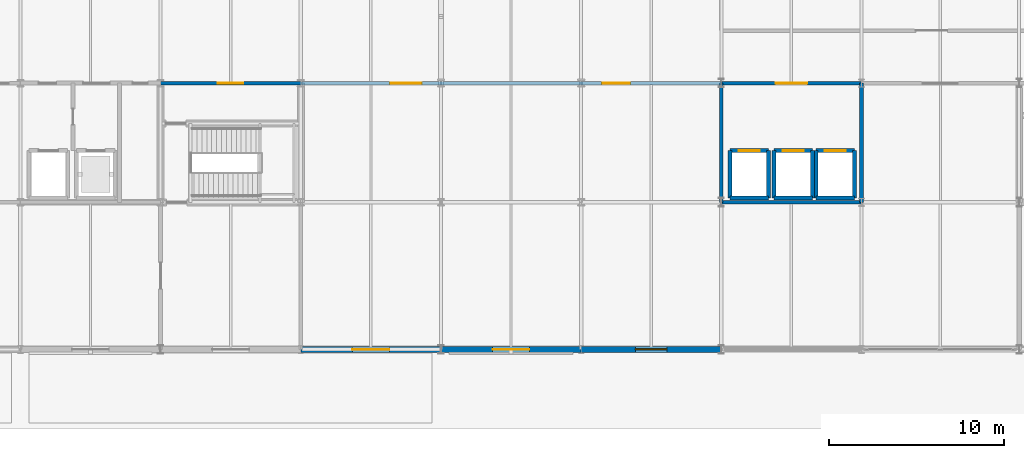
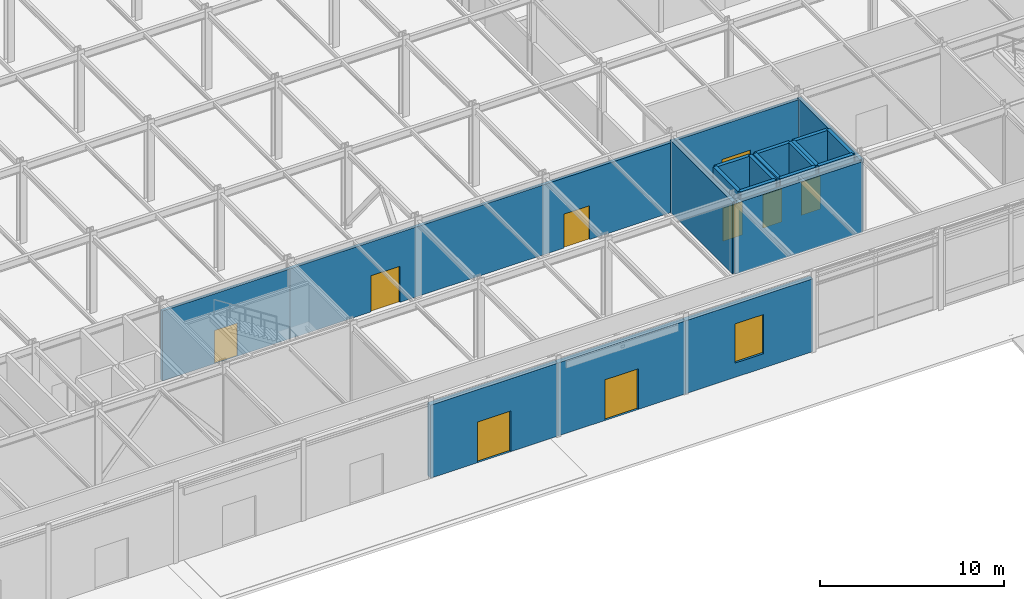
# One storey, part 65 of 89: 21 walls, 9 doors, 1 window, 10 openings.
"""IFC4 building model written with IfcOpenShell, lengths in metres."""

from ifc_helpers import new_model, si_unit, direction, frame, frame_2d, origin, place, context, subcontext, project, spatial, rectangle, extrude, material, layer, layer_set, type_object, element, fill, save


model = new_model("IFC4")

# Units and contexts
model_context = context("Model", 3, precision=1e-05, world=origin(), true_north=direction((0.0, 1.0)))
body_context = subcontext(model_context, "Body", "Model", "MODEL_VIEW")
ifc_project = project(units=[si_unit("LENGTHUNIT", "METRE"), si_unit("AREAUNIT", "SQUARE_METRE"), si_unit("VOLUMEUNIT", "CUBIC_METRE"), si_unit("PLANEANGLEUNIT", "RADIAN"), si_unit("MASSUNIT", "GRAM", prefix="KILO")], contexts=[model_context])

# Site, building, storey
site_placement = place(None, origin())
site = spatial("IfcSite", under=ifc_project, at=site_placement, CompositionType="ELEMENT")
building_placement = place(site_placement, origin())
building = spatial("IfcBuilding", under=site, at=building_placement, Name="Shalkamar Park Central Library", CompositionType="ELEMENT")
storey_placement = place(building_placement, origin())
storey = spatial("IfcBuildingStorey", under=building, at=storey_placement, Name="L01", CompositionType="ELEMENT", Elevation=0.0)

# Wall, opening, door
ifc_material_1 = material(Name="Fire-rated corridor partition wall", Category="masonry")
ifc_layer_1 = layer(ifc_material_1, 0.199951171875)
ifc_layer_set_1 = layer_set([ifc_layer_1], Name="CorridorFireWall_200")
wall_type_1 = type_object("IfcWallType", Name="Corridor Fire Wall 200", PredefinedType="PARTITIONING", material=ifc_layer_set_1)
wall_1_placement = place(storey_placement, frame((197.0, 255.199951171875, 0.0), z_axis=(0.0, 0.0, 1.0), x_axis=(1.0, 0.0, 0.0)))
wall_1 = element("IfcWall", 1, at=wall_1_placement, inside=storey, type_object=wall_type_1, Name="CORE-T2 Vestibule North Wall (L01)", PredefinedType="PARTITIONING", context=body_context, shape_type="SweptSolid", body=[
    extrude(rectangle(XDim=8.0, YDim=0.199951171875, at=frame_2d((4.0, 0.0))), origin(), (0.0, 0.0, 1.0), 4.637939453125),
])
opening_1_placement = place(wall_1_placement, frame((3.27490234375, 0.0, 0.0)))
opening_1 = element("IfcOpeningElement", 2, at=opening_1_placement, cuts=wall_1, Name="Opening DR-ST-T2-L01-VEST", PredefinedType="OPENING", context=body_context, shape_type="SweptSolid", body=[
    extrude(rectangle(XDim=1.449951171875, YDim=2.199951171875, at=frame_2d((0.72509765625, 1.10009765625))), frame((0.0, 0.11474609375, 0.0), z_axis=(0.0, -1.0, 0.0), x_axis=(1.0, 0.0, 0.0)), (0.0, 0.0, 1.0), 0.229736328125),
])
ifc_material_2 = material(Name="Steel S355", Category="steel")
door_type_1 = type_object("IfcDoorType", Name="Stair Vestibule Door 1450x2200", OperationType="DOUBLE_DOOR_SINGLE_SWING", PredefinedType="DOOR", material=ifc_material_2)
door_1_placement = place(opening_1_placement, origin())
door_1 = element("IfcDoor", 3, at=door_1_placement, inside=storey, type_object=door_type_1, Name="Protected Stair ST-T2 Vestibule Door (L01)", OperationType="DOUBLE_DOOR_SINGLE_SWING", OverallHeight=2.199951171875, OverallWidth=1.449951171875, PredefinedType="DOOR", context=body_context, shape_type="SweptSolid", body=[
    extrude(rectangle(XDim=1.449951171875, YDim=2.199951171875, at=frame_2d((0.72509765625, 1.10009765625))), frame((0.0, 0.02490234375, 0.0), z_axis=(0.0, -1.0, 0.0), x_axis=(1.0, 0.0, 0.0)), (0.0, 0.0, 1.0), 0.050048828125),
])
fill(opening_1, door_1)

wall_2_placement = place(storey_placement, frame((229.0, 255.199951171875, 0.0), z_axis=(0.0, 0.0, 1.0), x_axis=(1.0, 0.0, 0.0)))
wall_2 = element("IfcWall", 4, at=wall_2_placement, inside=storey, type_object=wall_type_1, Name="Interior Partition WL-INT-L01-014", PredefinedType="PARTITIONING", context=body_context, shape_type="SweptSolid", body=[
    extrude(rectangle(XDim=8.0, YDim=0.199951171875, at=frame_2d((4.0, 0.0))), origin(), (0.0, 0.0, 1.0), 4.68798828125),
])
opening_2_placement = place(wall_2_placement, frame((3.10009765625, 0.0, 0.0)))
opening_2 = element("IfcOpeningElement", 5, at=opening_2_placement, cuts=wall_2, Name="Opening DR-L01-012", PredefinedType="OPENING", context=body_context, shape_type="SweptSolid", body=[
    extrude(rectangle(XDim=1.800048828125, YDim=2.39990234375, at=frame_2d((0.89990234375, 1.199951171875))), frame((0.0, 0.11474609375, 0.0), z_axis=(0.0, -1.0, 0.0), x_axis=(1.0, 0.0, 0.0)), (0.0, 0.0, 1.0), 0.229736328125),
])
door_type_2 = type_object("IfcDoorType", Name="Interior Door Double 1800x2400", OperationType="DOUBLE_DOOR_SINGLE_SWING", PredefinedType="DOOR", material=ifc_material_2)
door_2_placement = place(opening_2_placement, origin())
door_2 = element("IfcDoor", 6, at=door_2_placement, inside=storey, type_object=door_type_2, Name="Podium Lift Lobby Entrance", OperationType="DOUBLE_DOOR_SINGLE_SWING", OverallHeight=2.39990234375, OverallWidth=1.800048828125, PredefinedType="DOOR", context=body_context, shape_type="SweptSolid", body=[
    extrude(rectangle(XDim=1.800048828125, YDim=2.39990234375, at=frame_2d((0.89990234375, 1.199951171875))), frame((0.0, 0.02490234375, 0.0), z_axis=(0.0, -1.0, 0.0), x_axis=(1.0, 0.0, 0.0)), (0.0, 0.0, 1.0), 0.050048828125),
])
fill(opening_2, door_2)

# Wall, openings, doors
wall_3_placement = place(storey_placement, frame((205.0, 255.199951171875, 0.0), z_axis=(0.0, 0.0, 1.0), x_axis=(1.0, 0.0, 0.0)))
wall_3 = element("IfcWall", 7, at=wall_3_placement, inside=storey, type_object=wall_type_1, Name="Interior Partition WL-INT-L01-029", PredefinedType="PARTITIONING", context=body_context, shape_type="SweptSolid", body=[
    extrude(rectangle(XDim=24.0, YDim=0.199951171875, at=frame_2d((12.0, 0.0))), origin(), (0.0, 0.0, 1.0), 4.637939453125),
])
opening_3_placement = place(wall_3_placement, frame((5.10009765625, 0.0, 0.0)))
opening_3 = element("IfcOpeningElement", 8, at=opening_3_placement, cuts=wall_3, Name="Opening DR-L01-019", PredefinedType="OPENING", context=body_context, shape_type="SweptSolid", body=[
    extrude(rectangle(XDim=1.800048828125, YDim=2.39990234375, at=frame_2d((0.89990234375, 1.199951171875))), frame((0.0, 0.11474609375, 0.0), z_axis=(0.0, -1.0, 0.0), x_axis=(1.0, 0.0, 0.0)), (0.0, 0.0, 1.0), 0.229736328125),
])
opening_4_placement = place(wall_3_placement, frame((17.199951171875, 0.0, 0.0)))
opening_4 = element("IfcOpeningElement", 9, at=opening_4_placement, cuts=wall_3, Name="Opening DR-L01-020", PredefinedType="OPENING", context=body_context, shape_type="SweptSolid", body=[
    extrude(rectangle(XDim=1.60009765625, YDim=2.25, at=frame_2d((0.800048828125, 1.125))), frame((0.0, 0.11474609375, 0.0), z_axis=(0.0, -1.0, 0.0), x_axis=(1.0, 0.0, 0.0)), (0.0, 0.0, 1.0), 0.229736328125),
])
door_type_3 = type_object("IfcDoorType", Name="Interior Door Double 1600x2250", OperationType="DOUBLE_DOOR_SINGLE_SWING", PredefinedType="DOOR", material=ifc_material_2)
door_3_placement = place(opening_4_placement, frame((1.60009765625, 0.0, 0.0), z_axis=(0.0, 0.0, 1.0), x_axis=(-1.0, 0.0, 0.0)))
door_3 = element("IfcDoor", 10, at=door_3_placement, inside=storey, type_object=door_type_3, Name="Cloakroom and Registration Hall Door", OperationType="DOUBLE_DOOR_SINGLE_SWING", OverallHeight=2.25, OverallWidth=1.60009765625, PredefinedType="DOOR", context=body_context, shape_type="SweptSolid", body=[
    extrude(rectangle(XDim=1.60009765625, YDim=2.25, at=frame_2d((0.800048828125, 1.125))), frame((0.0, 0.02490234375, 0.0), z_axis=(0.0, -1.0, 0.0), x_axis=(1.0, 0.0, 0.0)), (0.0, 0.0, 1.0), 0.050048828125),
])
fill(opening_4, door_3)
door_4_placement = place(opening_3_placement, frame((1.800048828125, 0.0, 0.0), z_axis=(0.0, 0.0, 1.0), x_axis=(-1.0, 0.0, 0.0)))
door_4 = element("IfcDoor", 11, at=door_4_placement, inside=storey, type_object=door_type_2, Name="South Boulevard Entrance Lobby Door", OperationType="DOUBLE_DOOR_SINGLE_SWING", OverallHeight=2.39990234375, OverallWidth=1.800048828125, PredefinedType="DOOR", context=body_context, shape_type="SweptSolid", body=[
    extrude(rectangle(XDim=1.800048828125, YDim=2.39990234375, at=frame_2d((0.89990234375, 1.199951171875))), frame((0.0, 0.02490234375, 0.0), z_axis=(0.0, -1.0, 0.0), x_axis=(1.0, 0.0, 0.0)), (0.0, 0.0, 1.0), 0.050048828125),
])
fill(opening_3, door_4)

# Wall, opening, door
ifc_material_3 = material(Name="Concrete C35/45 precast", Category="concrete")
ifc_layer_2 = layer(ifc_material_3, 0.320068359375)
ifc_layer_set_2 = layer_set([ifc_layer_2], Name="Concrete C35/45 precast")
wall_type_2 = type_object("IfcWallType", Name="Granite Plinth External Wall 320", PredefinedType="SOLIDWALL", material=ifc_layer_set_2)
wall_4_placement = place(storey_placement, frame((205.006103515625, 240.0, 0.0), z_axis=(0.0, 0.0, 1.0), x_axis=(1.0, 0.0, 0.0)))
wall_4 = element("IfcWall", 12, at=wall_4_placement, inside=storey, type_object=wall_type_2, Name="Exterior Facade Wall WL-EXT-L01-012", PredefinedType="SOLIDWALL", context=body_context, shape_type="SweptSolid", body=[
    extrude(rectangle(XDim=7.98779296875, YDim=0.320068359375, at=frame_2d((3.993896484375, 0.0))), origin(), (0.0, 0.0, 1.0), 4.837890625),
])
opening_5_placement = place(wall_4_placement, frame((2.944091796875, 0.0, 0.0)))
opening_5 = element("IfcOpeningElement", 13, at=opening_5_placement, cuts=wall_4, Name="Opening ED-L01-009", PredefinedType="OPENING", context=body_context, shape_type="SweptSolid", body=[
    extrude(rectangle(XDim=2.10009765625, YDim=2.699951171875, at=frame_2d((1.050048828125, 1.35009765625))), frame((0.0, 0.1748046875, 0.0), z_axis=(0.0, -1.0, 0.0), x_axis=(1.0, 0.0, 0.0)), (0.0, 0.0, 1.0), 0.349853515625),
])
ifc_material_4 = material(Name="Thermally broken insulated aluminium and glazed door", Category="aluminium")
door_type_4 = type_object("IfcDoorType", Name="Boulevard Entrance Door 2100x2700", OperationType="DOUBLE_DOOR_SINGLE_SWING", PredefinedType="DOOR", material=ifc_material_4)
door_5_placement = place(opening_5_placement, frame((2.10009765625, 0.0, 0.0), z_axis=(0.0, 0.0, 1.0), x_axis=(-1.0, 0.0, 0.0)))
door_5 = element("IfcDoor", 14, at=door_5_placement, inside=storey, type_object=door_type_4, Name="South Boulevard Entrance Portal 12", OperationType="DOUBLE_DOOR_SINGLE_SWING", OverallHeight=2.699951171875, OverallWidth=2.10009765625, PredefinedType="DOOR", context=body_context, shape_type="SweptSolid", body=[
    extrude(rectangle(XDim=2.10009765625, YDim=2.699951171875, at=frame_2d((1.050048828125, 1.35009765625))), frame((0.0, 0.02490234375, 0.0), z_axis=(0.0, -1.0, 0.0), x_axis=(1.0, 0.0, 0.0)), (0.0, 0.0, 1.0), 0.050048828125),
])
fill(opening_5, door_5)

wall_5_placement = place(storey_placement, frame((213.006103515625, 240.0, 0.0), z_axis=(0.0, 0.0, 1.0), x_axis=(1.0, 0.0, 0.0)))
wall_5 = element("IfcWall", 15, at=wall_5_placement, inside=storey, type_object=wall_type_2, Name="Exterior Facade Wall WL-EXT-L01-013", PredefinedType="SOLIDWALL", context=body_context, shape_type="SweptSolid", body=[
    extrude(rectangle(XDim=7.98779296875, YDim=0.320068359375, at=frame_2d((3.993896484375, 0.0))), origin(), (0.0, 0.0, 1.0), 4.837890625),
])
opening_6_placement = place(wall_5_placement, frame((2.944091796875, 0.0, 0.0)))
opening_6 = element("IfcOpeningElement", 16, at=opening_6_placement, cuts=wall_5, Name="Opening ED-L01-010", PredefinedType="OPENING", context=body_context, shape_type="SweptSolid", body=[
    extrude(rectangle(XDim=2.10009765625, YDim=2.699951171875, at=frame_2d((1.050048828125, 1.35009765625))), frame((0.0, 0.1748046875, 0.0), z_axis=(0.0, -1.0, 0.0), x_axis=(1.0, 0.0, 0.0)), (0.0, 0.0, 1.0), 0.349853515625),
])
door_6_placement = place(opening_6_placement, frame((2.10009765625, 0.0, 0.0), z_axis=(0.0, 0.0, 1.0), x_axis=(-1.0, 0.0, 0.0)))
door_6 = element("IfcDoor", 17, at=door_6_placement, inside=storey, type_object=door_type_4, Name="South Boulevard Entrance Portal 13", OperationType="DOUBLE_DOOR_SINGLE_SWING", OverallHeight=2.699951171875, OverallWidth=2.10009765625, PredefinedType="DOOR", context=body_context, shape_type="SweptSolid", body=[
    extrude(rectangle(XDim=2.10009765625, YDim=2.699951171875, at=frame_2d((1.050048828125, 1.35009765625))), frame((0.0, 0.02490234375, 0.0), z_axis=(0.0, -1.0, 0.0), x_axis=(1.0, 0.0, 0.0)), (0.0, 0.0, 1.0), 0.050048828125),
])
fill(opening_6, door_6)

# Wall, opening, window
wall_6_placement = place(storey_placement, frame((221.006103515625, 240.0, 0.0), z_axis=(0.0, 0.0, 1.0), x_axis=(1.0, 0.0, 0.0)))
wall_6 = element("IfcWall", 18, at=wall_6_placement, inside=storey, type_object=wall_type_2, Name="Exterior Facade Wall WL-EXT-L01-014", PredefinedType="SOLIDWALL", context=body_context, shape_type="SweptSolid", body=[
    extrude(rectangle(XDim=7.98779296875, YDim=0.320068359375, at=frame_2d((3.993896484375, 0.0))), origin(), (0.0, 0.0, 1.0), 4.837890625),
])
opening_7_placement = place(wall_6_placement, frame((3.093994140625, 0.0, 0.949951171875)))
opening_7 = element("IfcOpeningElement", 19, at=opening_7_placement, cuts=wall_6, Name="Opening WN-06", PredefinedType="OPENING", context=body_context, shape_type="SweptSolid", body=[
    extrude(rectangle(XDim=1.800048828125, YDim=2.60009765625, at=frame_2d((0.89990234375, 1.300048828125))), frame((0.0, 0.1748046875, 0.0), z_axis=(0.0, -1.0, 0.0), x_axis=(1.0, 0.0, 0.0)), (0.0, 0.0, 1.0), 0.349853515625),
])
ifc_material_5 = material(Name="Thermally broken aluminium and triple low-e glass", Category="glass")
window_type = type_object("IfcWindowType", Name="Podium Window 1800x2600", PartitioningType="DOUBLE_PANEL_VERTICAL", PredefinedType="WINDOW", material=ifc_material_5)
window_placement = place(opening_7_placement, origin())
window = element("IfcWindow", 20, at=window_placement, inside=storey, type_object=window_type, Name="Facade Window WN-L01-004", OverallHeight=2.60009765625, OverallWidth=1.800048828125, PartitioningType="DOUBLE_PANEL_VERTICAL", PredefinedType="WINDOW", context=body_context, shape_type="SweptSolid", body=[
    extrude(rectangle(XDim=1.800048828125, YDim=2.60009765625, at=frame_2d((0.89990234375, 1.300048828125))), frame((0.0, 0.030029296875, 0.0), z_axis=(0.0, -1.0, 0.0), x_axis=(1.0, 0.0, 0.0)), (0.0, 0.0, 1.0), 0.06005859375),
])
fill(opening_7, window)

# Walls
ifc_material_6 = material(Name="Concrete C40/50", Category="concrete")
ifc_layer_3 = layer(ifc_material_6, 0.219970703125)
ifc_layer_set_3 = layer_set([ifc_layer_3], Name="Concrete C40/50")
wall_type_3 = type_object("IfcWallType", Name="Lift Hoistway Shear Wall 220", PredefinedType="SHEAR", material=ifc_layer_set_3)
wall_7_placement = place(storey_placement, frame((229.5, 248.64990234375, 0.0), z_axis=(0.0, 0.0, 1.0), x_axis=(1.0, 0.0, 0.0)))
element("IfcWall", 21, at=wall_7_placement, inside=storey, type_object=wall_type_3, Name="Lift LP-01 Hoistway South Wall (L01)", PredefinedType="SHEAR", context=body_context, shape_type="SweptSolid", body=[
    extrude(rectangle(XDim=2.199951171875, YDim=0.219970703125, at=frame_2d((1.10009765625, 0.0))), origin(), (0.0, 0.0, 1.0), 5.139892578125),
])
for number, where, z_axis, x_axis, name in (
    (22, (229.5, 248.64990234375, 0.0), (0.0, 0.0, 1.0), (0.0, 1.0, 0.0), "Lift LP-01 Hoistway West Wall (L01)"),
    (23, (231.699951171875, 248.64990234375, 0.0), (0.0, 0.0, 1.0), (0.0, 1.0, 0.0), "Lift LP-01 Hoistway East Wall (L01)"),
):
    element("IfcWall", number, at=place(storey_placement, frame(where, z_axis=z_axis, x_axis=x_axis)), inside=storey, type_object=wall_type_3, Name=name, PredefinedType="SHEAR", context=body_context, shape_type="SweptSolid", body=[
        extrude(rectangle(XDim=2.7001953125, YDim=0.219970703125, at=frame_2d((1.35009765625, 0.0))), origin(), (0.0, 0.0, 1.0), 5.139892578125),
    ])

# Wall, opening, door
wall_8_placement = place(storey_placement, frame((229.5, 251.35009765625, 0.0), z_axis=(0.0, 0.0, 1.0), x_axis=(1.0, 0.0, 0.0)))
wall_8 = element("IfcWall", 24, at=wall_8_placement, inside=storey, type_object=wall_type_3, Name="Lift LP-01 Hoistway Front Wall (L01)", PredefinedType="SHEAR", context=body_context, shape_type="SweptSolid", body=[
    extrude(rectangle(XDim=2.199951171875, YDim=0.219970703125, at=frame_2d((1.10009765625, 0.0))), origin(), (0.0, 0.0, 1.0), 5.139892578125),
])
opening_8_placement = place(wall_8_placement, frame((0.5, 0.0, 0.0)))
opening_8 = element("IfcOpeningElement", 25, at=opening_8_placement, cuts=wall_8, Name="Opening LD-LP-01-L01", PredefinedType="OPENING", context=body_context, shape_type="SweptSolid", body=[
    extrude(rectangle(XDim=1.199951171875, YDim=2.199951171875, at=frame_2d((0.60009765625, 1.10009765625))), frame((0.0, 0.125, 0.0), z_axis=(0.0, -1.0, 0.0), x_axis=(1.0, 0.0, 0.0)), (0.0, 0.0, 1.0), 0.249755859375),
])
door_type_5 = type_object("IfcDoorType", Name="Podium Lift Landing Door 1200x2200", OperationType="DOUBLE_DOOR_SLIDING", PredefinedType="USERDEFINED", material=ifc_material_2)
door_7_placement = place(opening_8_placement, origin())
door_7 = element("IfcDoor", 26, at=door_7_placement, inside=storey, type_object=door_type_5, Name="Lift LP-01 Sliding Landing Door (L01)", ObjectType="SLIDING LANDING DOOR", OperationType="DOUBLE_DOOR_SLIDING", OverallHeight=2.199951171875, OverallWidth=1.199951171875, PredefinedType="USERDEFINED", context=body_context, shape_type="SweptSolid", body=[
    extrude(rectangle(XDim=1.199951171875, YDim=2.199951171875, at=frame_2d((0.60009765625, 1.10009765625))), frame((0.0, 0.02490234375, 0.0), z_axis=(0.0, -1.0, 0.0), x_axis=(1.0, 0.0, 0.0)), (0.0, 0.0, 1.0), 0.050048828125),
])
fill(opening_8, door_7)

# Walls
wall_9_placement = place(storey_placement, frame((232.0, 248.64990234375, 0.0), z_axis=(0.0, 0.0, 1.0), x_axis=(1.0, 0.0, 0.0)))
element("IfcWall", 27, at=wall_9_placement, inside=storey, type_object=wall_type_3, Name="Lift LP-02 Hoistway South Wall (L01)", PredefinedType="SHEAR", context=body_context, shape_type="SweptSolid", body=[
    extrude(rectangle(XDim=2.199951171875, YDim=0.219970703125, at=frame_2d((1.10009765625, 0.0))), origin(), (0.0, 0.0, 1.0), 5.139892578125),
])
for number, where, z_axis, x_axis, name in (
    (28, (232.0, 248.64990234375, 0.0), (0.0, 0.0, 1.0), (0.0, 1.0, 0.0), "Lift LP-02 Hoistway West Wall (L01)"),
    (29, (234.199951171875, 248.64990234375, 0.0), (0.0, 0.0, 1.0), (0.0, 1.0, 0.0), "Lift LP-02 Hoistway East Wall (L01)"),
):
    element("IfcWall", number, at=place(storey_placement, frame(where, z_axis=z_axis, x_axis=x_axis)), inside=storey, type_object=wall_type_3, Name=name, PredefinedType="SHEAR", context=body_context, shape_type="SweptSolid", body=[
        extrude(rectangle(XDim=2.7001953125, YDim=0.219970703125, at=frame_2d((1.35009765625, 0.0))), origin(), (0.0, 0.0, 1.0), 5.139892578125),
    ])

# Wall, opening, door
wall_10_placement = place(storey_placement, frame((232.0, 251.35009765625, 0.0), z_axis=(0.0, 0.0, 1.0), x_axis=(1.0, 0.0, 0.0)))
wall_10 = element("IfcWall", 30, at=wall_10_placement, inside=storey, type_object=wall_type_3, Name="Lift LP-02 Hoistway Front Wall (L01)", PredefinedType="SHEAR", context=body_context, shape_type="SweptSolid", body=[
    extrude(rectangle(XDim=2.199951171875, YDim=0.219970703125, at=frame_2d((1.10009765625, 0.0))), origin(), (0.0, 0.0, 1.0), 5.139892578125),
])
opening_9_placement = place(wall_10_placement, frame((0.5, 0.0, 0.0)))
opening_9 = element("IfcOpeningElement", 31, at=opening_9_placement, cuts=wall_10, Name="Opening LD-LP-02-L01", PredefinedType="OPENING", context=body_context, shape_type="SweptSolid", body=[
    extrude(rectangle(XDim=1.199951171875, YDim=2.199951171875, at=frame_2d((0.60009765625, 1.10009765625))), frame((0.0, 0.125, 0.0), z_axis=(0.0, -1.0, 0.0), x_axis=(1.0, 0.0, 0.0)), (0.0, 0.0, 1.0), 0.249755859375),
])
door_8_placement = place(opening_9_placement, origin())
door_8 = element("IfcDoor", 32, at=door_8_placement, inside=storey, type_object=door_type_5, Name="Lift LP-02 Sliding Landing Door (L01)", ObjectType="SLIDING LANDING DOOR", OperationType="DOUBLE_DOOR_SLIDING", OverallHeight=2.199951171875, OverallWidth=1.199951171875, PredefinedType="USERDEFINED", context=body_context, shape_type="SweptSolid", body=[
    extrude(rectangle(XDim=1.199951171875, YDim=2.199951171875, at=frame_2d((0.60009765625, 1.10009765625))), frame((0.0, 0.02490234375, 0.0), z_axis=(0.0, -1.0, 0.0), x_axis=(1.0, 0.0, 0.0)), (0.0, 0.0, 1.0), 0.050048828125),
])
fill(opening_9, door_8)

# Walls
wall_11_placement = place(storey_placement, frame((234.39990234375, 248.64990234375, 0.0), z_axis=(0.0, 0.0, 1.0), x_axis=(1.0, 0.0, 0.0)))
element("IfcWall", 33, at=wall_11_placement, inside=storey, type_object=wall_type_3, Name="Lift LP-03 Hoistway South Wall (L01)", PredefinedType="SHEAR", context=body_context, shape_type="SweptSolid", body=[
    extrude(rectangle(XDim=2.2001953125, YDim=0.219970703125, at=frame_2d((1.10009765625, 0.0))), origin(), (0.0, 0.0, 1.0), 5.139892578125),
])
for number, where, z_axis, x_axis, name in (
    (34, (234.39990234375, 248.64990234375, 0.0), (0.0, 0.0, 1.0), (0.0, 1.0, 0.0), "Lift LP-03 Hoistway West Wall (L01)"),
    (35, (236.60009765625, 248.64990234375, 0.0), (0.0, 0.0, 1.0), (0.0, 1.0, 0.0), "Lift LP-03 Hoistway East Wall (L01)"),
):
    element("IfcWall", number, at=place(storey_placement, frame(where, z_axis=z_axis, x_axis=x_axis)), inside=storey, type_object=wall_type_3, Name=name, PredefinedType="SHEAR", context=body_context, shape_type="SweptSolid", body=[
        extrude(rectangle(XDim=2.7001953125, YDim=0.219970703125, at=frame_2d((1.35009765625, 0.0))), origin(), (0.0, 0.0, 1.0), 5.139892578125),
    ])

# Wall, opening, door
wall_12_placement = place(storey_placement, frame((234.39990234375, 251.35009765625, 0.0), z_axis=(0.0, 0.0, 1.0), x_axis=(1.0, 0.0, 0.0)))
wall_12 = element("IfcWall", 36, at=wall_12_placement, inside=storey, type_object=wall_type_3, Name="Lift LP-03 Hoistway Front Wall (L01)", PredefinedType="SHEAR", context=body_context, shape_type="SweptSolid", body=[
    extrude(rectangle(XDim=2.2001953125, YDim=0.219970703125, at=frame_2d((1.10009765625, 0.0))), origin(), (0.0, 0.0, 1.0), 5.139892578125),
])
opening_10_placement = place(wall_12_placement, frame((0.5, 0.0, 0.0)))
opening_10 = element("IfcOpeningElement", 37, at=opening_10_placement, cuts=wall_12, Name="Opening LD-LP-03-L01", PredefinedType="OPENING", context=body_context, shape_type="SweptSolid", body=[
    extrude(rectangle(XDim=1.199951171875, YDim=2.199951171875, at=frame_2d((0.60009765625, 1.10009765625))), frame((0.0, 0.125, 0.0), z_axis=(0.0, -1.0, 0.0), x_axis=(1.0, 0.0, 0.0)), (0.0, 0.0, 1.0), 0.249755859375),
])
door_9_placement = place(opening_10_placement, origin())
door_9 = element("IfcDoor", 38, at=door_9_placement, inside=storey, type_object=door_type_5, Name="Lift LP-03 Sliding Landing Door (L01)", ObjectType="SLIDING LANDING DOOR", OperationType="DOUBLE_DOOR_SLIDING", OverallHeight=2.199951171875, OverallWidth=1.199951171875, PredefinedType="USERDEFINED", context=body_context, shape_type="SweptSolid", body=[
    extrude(rectangle(XDim=1.199951171875, YDim=2.199951171875, at=frame_2d((0.60009765625, 1.10009765625))), frame((0.0, 0.02490234375, 0.0), z_axis=(0.0, -1.0, 0.0), x_axis=(1.0, 0.0, 0.0)), (0.0, 0.0, 1.0), 0.050048828125),
])
fill(opening_10, door_9)

# Walls
ifc_material_7 = material(Name="Fire-rated shaft enclosure wall", Category="masonry")
ifc_layer_4 = layer(ifc_material_7, 0.219970703125)
ifc_layer_set_4 = layer_set([ifc_layer_4], Name="ShaftWall_220")
wall_type_4 = type_object("IfcWallType", Name="Shaft Wall 220", PredefinedType="PARTITIONING", material=ifc_layer_set_4)
for number, where, z_axis, x_axis, name in (
    (39, (229.0, 248.39990234375, 0.0), (0.0, 0.0, 1.0), (0.0, 1.0, 0.0), "Interior Partition WL-INT-L01-011"),
    (40, (237.0, 248.39990234375, 0.0), (0.0, 0.0, 1.0), (0.0, 1.0, 0.0), "Interior Partition WL-INT-L01-012"),
):
    element("IfcWall", number, at=place(storey_placement, frame(where, z_axis=z_axis, x_axis=x_axis)), inside=storey, type_object=wall_type_4, Name=name, PredefinedType="PARTITIONING", context=body_context, shape_type="SweptSolid", body=[
        extrude(rectangle(XDim=6.800048828125, YDim=0.219970703125, at=frame_2d((3.39990234375, 0.0))), origin(), (0.0, 0.0, 1.0), 4.778076171875),
    ])
wall_13_placement = place(storey_placement, frame((229.0, 248.39990234375, 0.0), z_axis=(0.0, 0.0, 1.0), x_axis=(1.0, 0.0, 0.0)))
element("IfcWall", 41, at=wall_13_placement, inside=storey, type_object=wall_type_4, Name="Interior Partition WL-INT-L01-013", PredefinedType="PARTITIONING", context=body_context, shape_type="SweptSolid", body=[
    extrude(rectangle(XDim=8.0, YDim=0.219970703125, at=frame_2d((4.0, 0.0))), origin(), (0.0, 0.0, 1.0), 4.68798828125),
])

save(model, "model.ifc")
